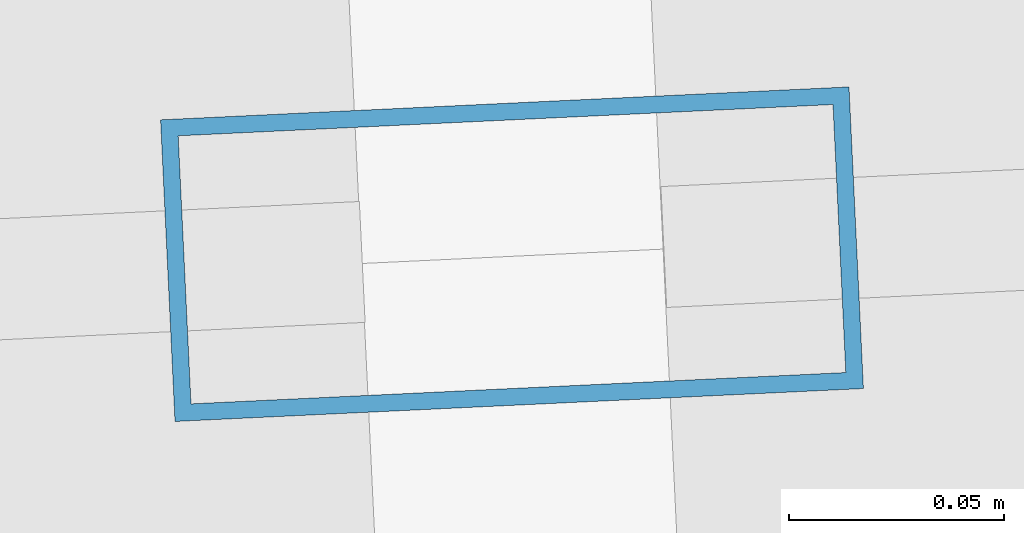
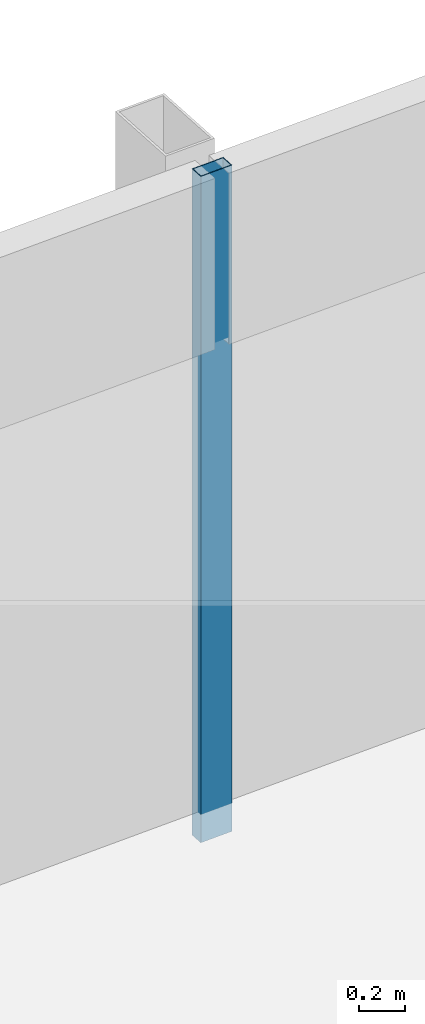
# One storey, part 21 of 40: 1 member, 1 element without a shape of its own.
"""IFC4 building model written with IfcOpenShell, lengths in metres."""

from ifc_helpers import new_model, si_unit, direction, frame, origin, origin_2d, place, context, subcontext, project, spatial, hollow_rectangle, extrude, material, material_profile, profile_set, type_object, element, aggregate, save


model = new_model("IFC4")

# Units and contexts
model_context = context("Model", 3, precision=1e-05, world=origin(), true_north=direction((0.0, 1.0)))
body_context = subcontext(model_context, "Body", "Model", "MODEL_VIEW")
ifc_project = project(units=[si_unit("LENGTHUNIT", "METRE"), si_unit("AREAUNIT", "SQUARE_METRE"), si_unit("VOLUMEUNIT", "CUBIC_METRE"), si_unit("PLANEANGLEUNIT", "RADIAN"), si_unit("MASSUNIT", "GRAM", prefix="KILO")], contexts=[model_context])

# Site, building, storey
site_placement = place(None, origin())
site = spatial("IfcSite", under=ifc_project, at=site_placement, CompositionType="ELEMENT")
building_placement = place(site_placement, origin())
building = spatial("IfcBuilding", under=site, at=building_placement, Name="Rekha Terrace Tower", CompositionType="ELEMENT")
storey_placement = place(building_placement, frame((0.0, 0.0, 213.949951171875)))
storey = spatial("IfcBuildingStorey", under=building, at=storey_placement, Name="L54", CompositionType="ELEMENT", Elevation=213.949951171875)

# Curtain wall, member
ifc_material_1 = material(Name="Aluminium framing", Category="aluminium")
curtain_wall_type = type_object("IfcCurtainWallType", Name="CW3 north unitised glazing", PredefinedType="USERDEFINED", material=ifc_material_1)
curtain_wall_placement = place(storey_placement, origin())
curtain_wall = element("IfcCurtainWall", 1, at=curtain_wall_placement, inside=storey, type_object=curtain_wall_type, Name="CW3 unitised curtain wall", ObjectType="UNITISED CURTAIN WALL", PredefinedType="USERDEFINED")
ifc_material_2 = material(Name="Aluminium mullion section", Category="aluminium")
ifc_material_profile = material_profile(ifc_material_2, hollow_rectangle(XDim=0.070068359375, YDim=0.159912109375, WallThickness=0.00390625, at=origin_2d()), Name="AL RHS 70x160")
ifc_profile_set = profile_set([ifc_material_profile], Name="Aluminium mullion section")
member_type = type_object("IfcMemberType", Name="CW3 mullion RHS 70 x 160", PredefinedType="MULLION", material=ifc_profile_set)
member_placement = place(storey_placement, frame((38.570068359375, 61.771240234375, 0.0), z_axis=(0.0, 0.0, 1.0), x_axis=(0.047758616983, -0.998858906204, 0.0)))
member = element("IfcMember", 2, at=member_placement, type_object=member_type, Name="CW3 mullion 2", PredefinedType="MULLION", context=body_context, shape_type="SweptSolid", body=[
    extrude(hollow_rectangle(XDim=0.070068359375, YDim=0.159912109375, WallThickness=0.00390625, at=origin_2d()), origin(), (0.0, 0.0, 1.0), 3.5),
])
aggregate(curtain_wall, [member])

save(model, "model.ifc")
